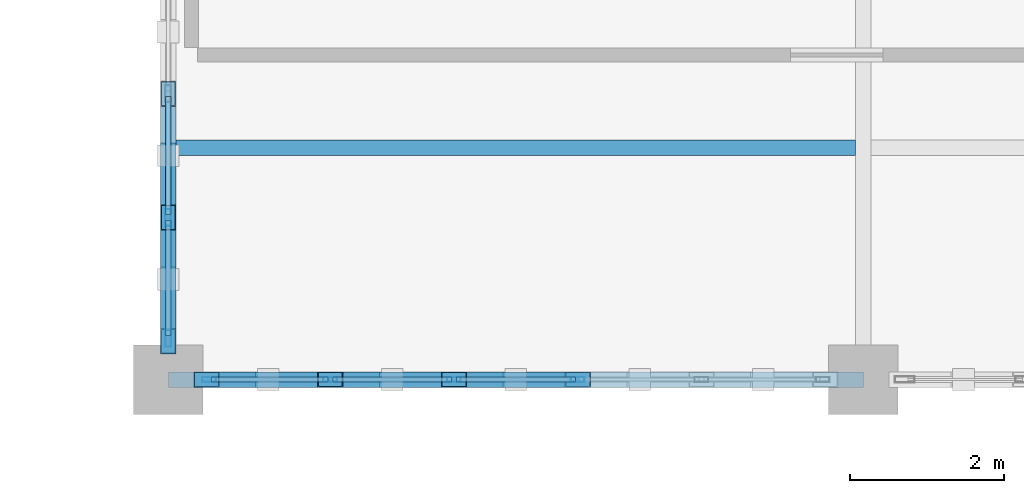
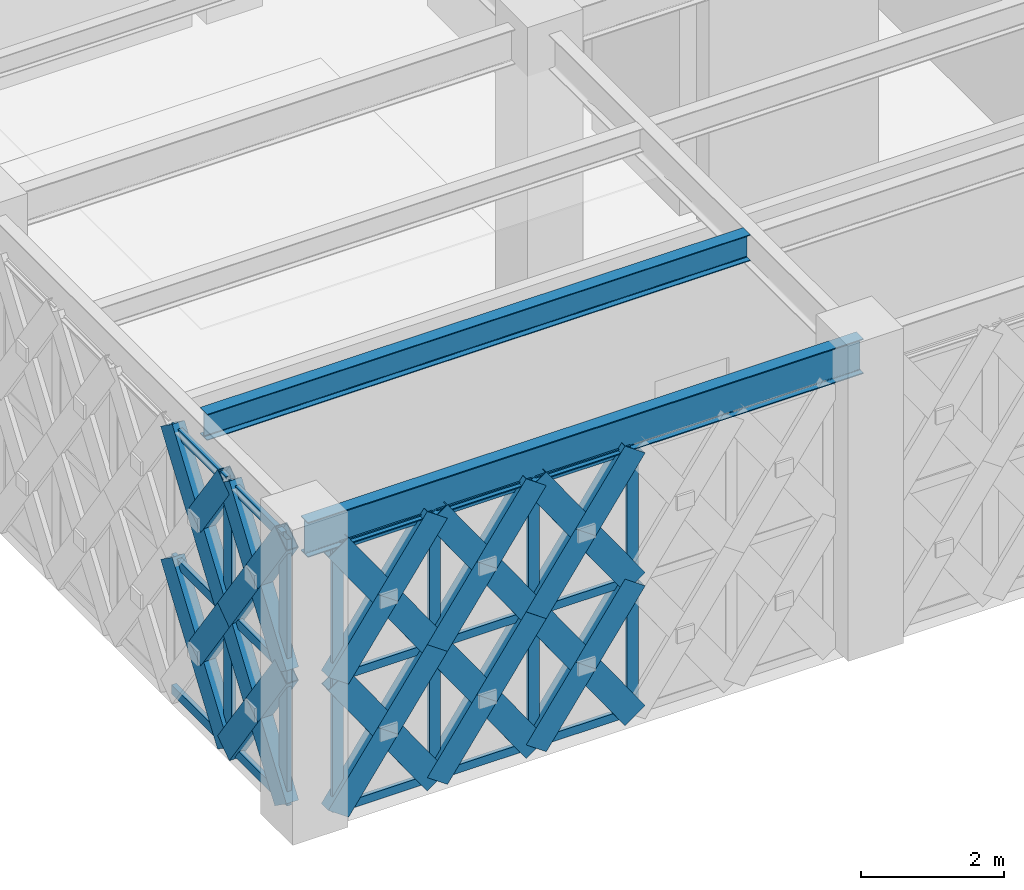
# One storey, part 10 of 155: 49 members, 2 beams, 2 elements without a shape of their own.
"""IFC4 building model written with IfcOpenShell, lengths in metres."""

import ifcopenshell
import ifcopenshell.guid

model = None  # the IFC model being written
_history = None  # IfcOwnerHistory: only IFC2X3 demands one
_inside = {}  # id of a spatial element -> (the spatial element, [elements in it])
_under = {}  # id of a project, library or spatial element -> (it, [spatial elements below it])
_declared = {}  # id of a project -> (the project, [libraries it declares])
_typed = {}  # id of a type object -> (the type object, [elements of that type])
_made_of = {}  # id of a material, layer set ... -> (it, [elements and type objects made of it])


def new_model(schema):
    """Start an empty IFC model of exactly this schema.

    Asked for "IFC4X3", IfcOpenShell would pick the latest addendum, in which some entities
    have other attributes; the version numbers below select the first issue.
    IFC2X3 requires an IfcOwnerHistory on every rooted entity: one is made here for all.
    """
    global model, _history
    if schema == "IFC4X3":
        model = ifcopenshell.file(schema_version=(4, 3, 0, 0))
    else:
        model = ifcopenshell.file(schema=schema)
    _inside.clear()
    _under.clear()
    _declared.clear()
    _typed.clear()
    _made_of.clear()
    _history = None
    if model.schema == "IFC2X3":
        org = make("IfcOrganization", Name="unknown")
        user = make(
            "IfcPersonAndOrganization",
            ThePerson=make("IfcPerson", FamilyName="unknown"),
            TheOrganization=org,
        )
        app = make(
            "IfcApplication",
            ApplicationDeveloper=org,
            Version="unknown",
            ApplicationFullName="unknown",
            ApplicationIdentifier="unknown",
        )
        _history = make(
            "IfcOwnerHistory",
            OwningUser=user,
            OwningApplication=app,
            ChangeAction="ADDED",
            CreationDate=0,
        )
    return model


def make(cls, **values):
    """One entity of the class cls with the attributes given. An attribute that is None is left unset."""
    return model.create_entity(
        cls, **{name: value for name, value in values.items() if value is not None}
    )


def rooted(cls, **values):
    """An entity with a GlobalId (a new one), such as an element, a storey or a relation."""
    return make(cls, GlobalId=ifcopenshell.guid.new(), OwnerHistory=_history, **values)


def si_unit(unit_type, name, prefix=None):
    """IfcSIUnit, for example si_unit("LENGTHUNIT", "METRE", prefix="MILLI")."""
    return make("IfcSIUnit", UnitType=unit_type, Prefix=prefix, Name=name)


def assignment(units):
    """IfcUnitAssignment: the units of a project."""
    return None if units is None else make("IfcUnitAssignment", Units=units)


def point(xyz):
    """IfcCartesianPoint."""
    return None if xyz is None else make("IfcCartesianPoint", Coordinates=xyz)


def direction(xyz):
    """IfcDirection."""
    return None if xyz is None else make("IfcDirection", DirectionRatios=xyz)


def frame(location, z_axis=None, x_axis=None):
    """IfcAxis2Placement3D, a coordinate frame: its origin and axes. An axis left out is left unset."""
    return make(
        "IfcAxis2Placement3D",
        Location=point(location),
        Axis=direction(z_axis),
        RefDirection=direction(x_axis),
    )


def frame_2d(location, x_axis=None):
    """IfcAxis2Placement2D, a coordinate frame in the plane: its origin and x axis."""
    return make(
        "IfcAxis2Placement2D", Location=point(location), RefDirection=direction(x_axis)
    )


def origin():
    """The frame at (0, 0, 0) with its axes left unset."""
    return frame((0.0, 0.0, 0.0))


def origin_2d():
    """The frame at (0, 0) in the plane with its x axis left unset."""
    return frame_2d((0.0, 0.0))


def place(relative_to, where):
    """IfcLocalPlacement: puts the frame where relative to a parent placement (None: the world)."""
    return make(
        "IfcLocalPlacement", PlacementRelTo=relative_to, RelativePlacement=where
    )


def context(
    kind, dimensions, precision=None, world=None, true_north=None, identifier=None
):
    """IfcGeometricRepresentationContext, for example the 3D "Model" context."""
    return make(
        "IfcGeometricRepresentationContext",
        ContextIdentifier=identifier,
        ContextType=kind,
        CoordinateSpaceDimension=dimensions,
        Precision=precision,
        WorldCoordinateSystem=world,
        TrueNorth=true_north,
    )


def subcontext(parent, identifier, kind, view, scale=None):
    """IfcGeometricRepresentationSubContext, for example "Body" below "Model"."""
    return make(
        "IfcGeometricRepresentationSubContext",
        ContextIdentifier=identifier,
        ContextType=kind,
        ParentContext=parent,
        TargetScale=scale,
        TargetView=view,
    )


def project(units=None, contexts=None):
    """IfcProject with its units and contexts."""
    return rooted(
        "IfcProject",
        Name="project",
        RepresentationContexts=contexts,
        UnitsInContext=assignment(units),
    )


def spatial(cls, under=None, at=None, **own):
    """A site, building, storey or space (cls), placed at a placement, below another one or the project."""
    s = rooted(cls, ObjectPlacement=at, **own)
    if under is not None:
        _under.setdefault(under.id(), (under, []))[1].append(s)
    return s


def profile(cls, at=None, kind="AREA", **sizes):
    """A parametric profile (cls). Its sizes go by their IFC names, for example OverallWidth=200.0."""
    return make(cls, ProfileType=kind, Position=at, **sizes)


def hollow_rectangle(**sizes):
    """IfcRectangleHollowProfileDef."""
    return profile("IfcRectangleHollowProfileDef", **sizes)


def i_section(**sizes):
    """IfcIShapeProfileDef."""
    return profile("IfcIShapeProfileDef", **sizes)


def extrude(swept, where, along, depth):
    """IfcExtrudedAreaSolid: the profile swept, set in the frame where, extruded along a direction by depth."""
    return make(
        "IfcExtrudedAreaSolid",
        SweptArea=swept,
        Position=where,
        ExtrudedDirection=direction(along),
        Depth=depth,
    )


def shape(context_of_items, identifier, shape_type, items):
    """IfcShapeRepresentation: the items that make up one representation, for example the "Body"."""
    return make(
        "IfcShapeRepresentation",
        ContextOfItems=context_of_items,
        RepresentationIdentifier=identifier,
        RepresentationType=shape_type,
        Items=items,
    )


def material(Name=None, Category=None):
    """IfcMaterial."""
    return make("IfcMaterial", Name=Name, Category=Category)


def material_profile(
    of_material, cross_section, Name=None, Category=None, Priority=None
):
    """IfcMaterialProfile: a cross section and its material."""
    return make(
        "IfcMaterialProfile",
        Name=Name,
        Material=of_material,
        Profile=cross_section,
        Priority=Priority,
        Category=Category,
    )


def profile_set(profiles, Name=None, composite=None):
    """IfcMaterialProfileSet."""
    return make(
        "IfcMaterialProfileSet",
        Name=Name,
        MaterialProfiles=profiles,
        CompositeProfile=composite,
    )


def made_of(thing, what):
    """Note that an element or type object is made of a material, layer set ...; save() writes the relation."""
    if what is not None:
        _made_of.setdefault(what.id(), (what, []))[1].append(thing)
    return thing


def type_object(cls, material=None, **own):
    """A type object (cls), such as IfcWallType, which elements share."""
    return made_of(rooted(cls, **own), material)


def element(
    cls,
    number,
    at=None,
    inside=None,
    cuts=None,
    type_object=None,
    material=None,
    context=None,
    identifier="Body",
    shape_type=None,
    held_by="IfcProductDefinitionShape",
    body=None,
    shapes=None,
    **own,
):
    """One element of the class cls, such as IfcWall. Its Tag is "e" and its number.

    at: its placement. inside: the storey or other place that contains it. cuts: it is an
    opening in that element (IfcRelVoidsElement). A single representation is given by context,
    identifier, shape_type and body (its items); several are given by shapes. held_by: the class
    of the entity that holds the representations. save() writes the other relations.
    """
    e = rooted(cls, Tag="e%d" % number, ObjectPlacement=at, **own)
    if body is not None:
        shapes = [shape(context, identifier, shape_type, body)]
    if shapes is not None:
        e.Representation = make(held_by, Representations=shapes)
    if inside is not None:
        _inside.setdefault(inside.id(), (inside, []))[1].append(e)
    if cuts is not None:
        rooted(
            "IfcRelVoidsElement", RelatingBuildingElement=cuts, RelatedOpeningElement=e
        )
    if type_object is not None:
        _typed.setdefault(type_object.id(), (type_object, []))[1].append(e)
    return made_of(e, material)


def aggregate(whole, parts):
    """IfcRelAggregates: a whole, such as a stair, and the parts it consists of."""
    return rooted("IfcRelAggregates", RelatingObject=whole, RelatedObjects=parts)


def save(model, path):
    """Write the relations noted so far, then the file.

    IfcRelAggregates (storeys below a building ...), IfcRelContainedInSpatialStructure (elements
    in a storey), IfcRelDefinesByType, IfcRelAssociatesMaterial and IfcRelDeclares: one each for
    every whole, place, type object, material and project.
    """
    for whole, parts in _under.values():
        aggregate(whole, parts)
    for where, things in _inside.values():
        rooted(
            "IfcRelContainedInSpatialStructure",
            RelatedElements=things,
            RelatingStructure=where,
        )
    for kind, things in _typed.values():
        rooted("IfcRelDefinesByType", RelatedObjects=things, RelatingType=kind)
    for what, things in _made_of.values():
        rooted("IfcRelAssociatesMaterial", RelatedObjects=things, RelatingMaterial=what)
    for by, libraries in _declared.values():
        rooted("IfcRelDeclares", RelatingContext=by, RelatedDefinitions=libraries)
    model.write(path)


model = new_model("IFC4")

# Units and contexts
model_context = context("Model", 3, precision=1e-05, world=origin(), true_north=direction((0.0, 1.0)))
body_context = subcontext(model_context, "Body", "Model", "MODEL_VIEW")
ifc_project = project(units=[si_unit("LENGTHUNIT", "METRE"), si_unit("AREAUNIT", "SQUARE_METRE"), si_unit("VOLUMEUNIT", "CUBIC_METRE"), si_unit("PLANEANGLEUNIT", "RADIAN"), si_unit("MASSUNIT", "GRAM", prefix="KILO")], contexts=[model_context])

# Site, building, storey
site_placement = place(None, origin())
site = spatial("IfcSite", under=ifc_project, at=site_placement, CompositionType="ELEMENT")
building_placement = place(site_placement, origin())
building = spatial("IfcBuilding", under=site, at=building_placement, Name="Haizhuo Lancet Aquarium", CompositionType="ELEMENT")
storey_placement = place(building_placement, frame((0.0, 0.0, 10.800048828125)))
storey = spatial("IfcBuildingStorey", under=building, at=storey_placement, Name="L02", CompositionType="ELEMENT", Elevation=10.800048828125)

# Beam
ifc_material_1 = material(Name="Steel S355", Category="steel")
ifc_material_profile_1 = material_profile(ifc_material_1, i_section(OverallWidth=0.199951171875, OverallDepth=0.60009765625, WebThickness=0.010986328125, FlangeThickness=0.01708984375, FilletRadius=0.02197265625, at=origin_2d()), Name="HN 600x200x11x17")
ifc_profile_set_1 = profile_set([ifc_material_profile_1], Name="Steel S355")
beam_type_1 = type_object("IfcBeamType", Name="BM-ST-HN600", PredefinedType="BEAM", material=ifc_profile_set_1)
beam_1_placement = place(storey_placement, frame((-72.0, -27.0, 4.85986328125), z_axis=(1.0, 0.0, 0.0), x_axis=(0.0, 1.0, 0.0)))
element("IfcBeam", 1, at=beam_1_placement, inside=storey, type_object=beam_type_1, Name="L02 V6 primary girder BM-L02-V6-005", PredefinedType="BEAM", context=body_context, shape_type="SweptSolid", body=[
    extrude(i_section(OverallWidth=0.199951171875, OverallDepth=0.60009765625, WebThickness=0.010986328125, FlangeThickness=0.01708984375, FilletRadius=0.02197265625, at=origin_2d()), origin(), (0.0, 0.0, 1.0), 9.0),
])

# Curtain wall, members
ifc_material_2 = material(Name="Aluminium 6063-T6", Category="aluminium")
curtain_wall_type = type_object("IfcCurtainWallType", Name="CWD-8010x4560", PredefinedType="NOTDEFINED", material=ifc_material_2)
curtain_wall_1_placement = place(storey_placement, origin())
curtain_wall_1 = element("IfcCurtainWall", 2, at=curtain_wall_1_placement, inside=storey, type_object=curtain_wall_type, Name="L02 curtain wall CW-V6-L02-226", PredefinedType="NOTDEFINED")
ifc_material_profile_2 = material_profile(ifc_material_2, hollow_rectangle(XDim=0.06494140625, YDim=0.179931640625, WallThickness=0.00390625, at=origin_2d()), Name="ALU-M 65x180x4")
ifc_profile_set_2 = profile_set([ifc_material_profile_2], Name="Aluminium 6063-T6")
member_type_1 = type_object("IfcMemberType", Name="CW-MUL-1", PredefinedType="MULLION", material=ifc_profile_set_2)
member_1_placement = place(storey_placement, frame((-66.698974609375, -27.0, 0.0), z_axis=(0.0, 0.0, 1.0), x_axis=(0.0, -1.0, 0.0)))
member_1 = element("IfcMember", 3, at=member_1_placement, type_object=member_type_1, Name="CWD-80x45 mullion 3", PredefinedType="MULLION", context=body_context, shape_type="SweptSolid", body=[
    extrude(hollow_rectangle(XDim=0.06494140625, YDim=0.179931640625, WallThickness=0.00390625, at=origin_2d()), origin(), (0.0, 0.0, 1.0), 4.56005859375),
])
member_2_placement = place(storey_placement, frame((-68.301025390625, -27.0, 0.0), z_axis=(0.0, 0.0, 1.0), x_axis=(0.0, -1.0, 0.0)))
member_2 = element("IfcMember", 4, at=member_2_placement, type_object=member_type_1, Name="CWD-80x45 mullion 4", PredefinedType="MULLION", context=body_context, shape_type="SweptSolid", body=[
    extrude(hollow_rectangle(XDim=0.06494140625, YDim=0.179931640625, WallThickness=0.00390625, at=origin_2d()), origin(), (0.0, 0.0, 1.0), 4.56005859375),
])
member_3_placement = place(storey_placement, frame((-69.903076171875, -27.0, 0.0), z_axis=(0.0, 0.0, 1.0), x_axis=(0.0, -1.0, 0.0)))
member_3 = element("IfcMember", 5, at=member_3_placement, type_object=member_type_1, Name="CWD-80x45 mullion 5", PredefinedType="MULLION", context=body_context, shape_type="SweptSolid", body=[
    extrude(hollow_rectangle(XDim=0.06494140625, YDim=0.179931640625, WallThickness=0.00390625, at=origin_2d()), origin(), (0.0, 0.0, 1.0), 4.56005859375),
])
member_4_placement = place(storey_placement, frame((-71.471923828125, -27.0, 0.0), z_axis=(0.0, 0.0, 1.0), x_axis=(0.0, -1.0, 0.0)))
member_4 = element("IfcMember", 6, at=member_4_placement, type_object=member_type_1, Name="CWD-80x45 mullion 6", PredefinedType="MULLION", context=body_context, shape_type="SweptSolid", body=[
    extrude(hollow_rectangle(XDim=0.06494140625, YDim=0.179931640625, WallThickness=0.00390625, at=origin_2d()), origin(), (0.0, 0.0, 1.0), 4.56005859375),
])

curtain_wall_2_placement = place(storey_placement, origin())
curtain_wall_2 = element("IfcCurtainWall", 7, at=curtain_wall_2_placement, inside=storey, type_object=curtain_wall_type, Name="L02 curtain wall CW-V6-L02-227", PredefinedType="NOTDEFINED")
ifc_material_profile_3 = material_profile(ifc_material_2, hollow_rectangle(XDim=0.074951171875, YDim=0.219970703125, WallThickness=0.0048828125, at=origin_2d()), Name="ALU-M 75x220x5")
ifc_profile_set_3 = profile_set([ifc_material_profile_3], Name="Aluminium 6063-T6")
member_type_2 = type_object("IfcMemberType", Name="CW-MUL-2", PredefinedType="MULLION", material=ifc_profile_set_3)
member_5_placement = place(storey_placement, frame((-72.0, -26.467041015625, 0.0), z_axis=(0.0, 0.0, 1.0), x_axis=(-1.0, 0.0, 0.0)))
member_5 = element("IfcMember", 8, at=member_5_placement, type_object=member_type_2, Name="CWD-80x45 mullion 1", PredefinedType="MULLION", context=body_context, shape_type="SweptSolid", body=[
    extrude(hollow_rectangle(XDim=0.074951171875, YDim=0.219970703125, WallThickness=0.0048828125, at=origin_2d()), origin(), (0.0, 0.0, 1.0), 4.56005859375),
])
member_6_placement = place(storey_placement, frame((-72.0, -24.903076171875, 0.0), z_axis=(0.0, 0.0, 1.0), x_axis=(-1.0, 0.0, 0.0)))
member_6 = element("IfcMember", 9, at=member_6_placement, type_object=member_type_2, Name="CWD-80x45 mullion 2", PredefinedType="MULLION", context=body_context, shape_type="SweptSolid", body=[
    extrude(hollow_rectangle(XDim=0.074951171875, YDim=0.219970703125, WallThickness=0.0048828125, at=origin_2d()), origin(), (0.0, 0.0, 1.0), 4.56005859375),
])

# Member
ifc_material_profile_4 = material_profile(ifc_material_2, hollow_rectangle(XDim=0.06494140625, YDim=0.139892578125, WallThickness=0.00390625, at=origin_2d()), Name="ALU-T 65x140x4")
ifc_profile_set_4 = profile_set([ifc_material_profile_4], Name="Aluminium 6063-T6")
member_type_3 = type_object("IfcMemberType", Name="CW-TRN-1", PredefinedType="NOTDEFINED", material=ifc_profile_set_4)
member_7_placement = place(storey_placement, frame((-66.73095703125, -27.0, 0.032958984375), z_axis=(-1.0, 0.0, 0.0), x_axis=(0.0, -1.0, 0.0)))
member_7 = element("IfcMember", 10, at=member_7_placement, type_object=member_type_3, Name="CWD-80x45 transom 3.1", ObjectType="TRANSOM", PredefinedType="USERDEFINED", context=body_context, shape_type="SweptSolid", body=[
    extrude(hollow_rectangle(XDim=0.06494140625, YDim=0.139892578125, WallThickness=0.00390625, at=origin_2d()), origin(), (0.0, 0.0, 1.0), 1.5380859375),
])

member_8_placement = place(storey_placement, frame((-66.73095703125, -27.0, 2.280029296875), z_axis=(-1.0, 0.0, 0.0), x_axis=(0.0, -1.0, 0.0)))
member_8 = element("IfcMember", 11, at=member_8_placement, type_object=member_type_3, Name="CWD-80x45 transom 3.2", ObjectType="TRANSOM", PredefinedType="USERDEFINED", context=body_context, shape_type="SweptSolid", body=[
    extrude(hollow_rectangle(XDim=0.06494140625, YDim=0.139892578125, WallThickness=0.00390625, at=origin_2d()), origin(), (0.0, 0.0, 1.0), 1.5380859375),
])

member_9_placement = place(storey_placement, frame((-66.73095703125, -27.0, 4.52685546875), z_axis=(-1.0, 0.0, 0.0), x_axis=(0.0, -1.0, 0.0)))
member_9 = element("IfcMember", 12, at=member_9_placement, type_object=member_type_3, Name="CWD-80x45 transom 3.3", ObjectType="TRANSOM", PredefinedType="USERDEFINED", context=body_context, shape_type="SweptSolid", body=[
    extrude(hollow_rectangle(XDim=0.06494140625, YDim=0.139892578125, WallThickness=0.00390625, at=origin_2d()), origin(), (0.0, 0.0, 1.0), 1.5380859375),
])

member_10_placement = place(storey_placement, frame((-68.333984375, -27.0, 0.032958984375), z_axis=(-1.0, 0.0, 0.0), x_axis=(0.0, -1.0, 0.0)))
member_10 = element("IfcMember", 13, at=member_10_placement, type_object=member_type_3, Name="CWD-80x45 transom 4.1", ObjectType="TRANSOM", PredefinedType="USERDEFINED", context=body_context, shape_type="SweptSolid", body=[
    extrude(hollow_rectangle(XDim=0.06494140625, YDim=0.139892578125, WallThickness=0.00390625, at=origin_2d()), origin(), (0.0, 0.0, 1.0), 1.5361328125),
])

member_11_placement = place(storey_placement, frame((-68.333984375, -27.0, 2.280029296875), z_axis=(-1.0, 0.0, 0.0), x_axis=(0.0, -1.0, 0.0)))
member_11 = element("IfcMember", 14, at=member_11_placement, type_object=member_type_3, Name="CWD-80x45 transom 4.2", ObjectType="TRANSOM", PredefinedType="USERDEFINED", context=body_context, shape_type="SweptSolid", body=[
    extrude(hollow_rectangle(XDim=0.06494140625, YDim=0.139892578125, WallThickness=0.00390625, at=origin_2d()), origin(), (0.0, 0.0, 1.0), 1.5361328125),
])

member_12_placement = place(storey_placement, frame((-68.333984375, -27.0, 4.52685546875), z_axis=(-1.0, 0.0, 0.0), x_axis=(0.0, -1.0, 0.0)))
member_12 = element("IfcMember", 15, at=member_12_placement, type_object=member_type_3, Name="CWD-80x45 transom 4.3", ObjectType="TRANSOM", PredefinedType="USERDEFINED", context=body_context, shape_type="SweptSolid", body=[
    extrude(hollow_rectangle(XDim=0.06494140625, YDim=0.139892578125, WallThickness=0.00390625, at=origin_2d()), origin(), (0.0, 0.0, 1.0), 1.5361328125),
])

member_13_placement = place(storey_placement, frame((-69.93505859375, -27.0, 0.032958984375), z_axis=(-1.0, 0.0, 0.0), x_axis=(0.0, -1.0, 0.0)))
member_13 = element("IfcMember", 16, at=member_13_placement, type_object=member_type_3, Name="CWD-80x45 transom 5.1", ObjectType="TRANSOM", PredefinedType="USERDEFINED", context=body_context, shape_type="SweptSolid", body=[
    extrude(hollow_rectangle(XDim=0.06494140625, YDim=0.139892578125, WallThickness=0.00390625, at=origin_2d()), origin(), (0.0, 0.0, 1.0), 1.5048828125),
])

member_14_placement = place(storey_placement, frame((-69.93505859375, -27.0, 2.280029296875), z_axis=(-1.0, 0.0, 0.0), x_axis=(0.0, -1.0, 0.0)))
member_14 = element("IfcMember", 17, at=member_14_placement, type_object=member_type_3, Name="CWD-80x45 transom 5.2", ObjectType="TRANSOM", PredefinedType="USERDEFINED", context=body_context, shape_type="SweptSolid", body=[
    extrude(hollow_rectangle(XDim=0.06494140625, YDim=0.139892578125, WallThickness=0.00390625, at=origin_2d()), origin(), (0.0, 0.0, 1.0), 1.5048828125),
])

member_15_placement = place(storey_placement, frame((-69.93505859375, -27.0, 4.52685546875), z_axis=(-1.0, 0.0, 0.0), x_axis=(0.0, -1.0, 0.0)))
member_15 = element("IfcMember", 18, at=member_15_placement, type_object=member_type_3, Name="CWD-80x45 transom 5.3", ObjectType="TRANSOM", PredefinedType="USERDEFINED", context=body_context, shape_type="SweptSolid", body=[
    extrude(hollow_rectangle(XDim=0.06494140625, YDim=0.139892578125, WallThickness=0.00390625, at=origin_2d()), origin(), (0.0, 0.0, 1.0), 1.5048828125),
])

aggregate(curtain_wall_1, [member_1, member_2, member_3, member_4, member_7, member_8, member_9, member_10, member_11, member_12, member_13, member_14, member_15])

ifc_material_profile_5 = material_profile(ifc_material_2, hollow_rectangle(XDim=0.074951171875, YDim=0.159912109375, WallThickness=0.00390625, at=origin_2d()), Name="ALU-T 75x160x4")
ifc_profile_set_5 = profile_set([ifc_material_profile_5], Name="Aluminium 6063-T6")
member_type_4 = type_object("IfcMemberType", Name="CW-TRN-2", PredefinedType="NOTDEFINED", material=ifc_profile_set_5)
member_16_placement = place(storey_placement, frame((-72.0, -26.429931640625, 0.037841796875), z_axis=(0.0, 1.0, 0.0), x_axis=(-1.0, 0.0, 0.0)))
member_16 = element("IfcMember", 19, at=member_16_placement, type_object=member_type_4, Name="CWD-80x45 transom 1.1", ObjectType="TRANSOM", PredefinedType="USERDEFINED", context=body_context, shape_type="SweptSolid", body=[
    extrude(hollow_rectangle(XDim=0.074951171875, YDim=0.159912109375, WallThickness=0.00390625, at=origin_2d()), origin(), (0.0, 0.0, 1.0), 1.489013671875),
])

member_17_placement = place(storey_placement, frame((-72.0, -26.429931640625, 2.280029296875), z_axis=(0.0, 1.0, 0.0), x_axis=(-1.0, 0.0, 0.0)))
member_17 = element("IfcMember", 20, at=member_17_placement, type_object=member_type_4, Name="CWD-80x45 transom 1.2", ObjectType="TRANSOM", PredefinedType="USERDEFINED", context=body_context, shape_type="SweptSolid", body=[
    extrude(hollow_rectangle(XDim=0.074951171875, YDim=0.159912109375, WallThickness=0.00390625, at=origin_2d()), origin(), (0.0, 0.0, 1.0), 1.489013671875),
])

member_18_placement = place(storey_placement, frame((-72.0, -26.429931640625, 4.52197265625), z_axis=(0.0, 1.0, 0.0), x_axis=(-1.0, 0.0, 0.0)))
member_18 = element("IfcMember", 21, at=member_18_placement, type_object=member_type_4, Name="CWD-80x45 transom 1.3", ObjectType="TRANSOM", PredefinedType="USERDEFINED", context=body_context, shape_type="SweptSolid", body=[
    extrude(hollow_rectangle(XDim=0.074951171875, YDim=0.159912109375, WallThickness=0.00390625, at=origin_2d()), origin(), (0.0, 0.0, 1.0), 1.489013671875),
])

member_19_placement = place(storey_placement, frame((-72.0, -24.865966796875, 0.037841796875), z_axis=(0.0, 1.0, 0.0), x_axis=(-1.0, 0.0, 0.0)))
member_19 = element("IfcMember", 22, at=member_19_placement, type_object=member_type_4, Name="CWD-80x45 transom 2.1", ObjectType="TRANSOM", PredefinedType="USERDEFINED", context=body_context, shape_type="SweptSolid", body=[
    extrude(hollow_rectangle(XDim=0.074951171875, YDim=0.159912109375, WallThickness=0.00390625, at=origin_2d()), origin(), (0.0, 0.0, 1.0), 1.528076171875),
])

member_20_placement = place(storey_placement, frame((-72.0, -24.865966796875, 2.280029296875), z_axis=(0.0, 1.0, 0.0), x_axis=(-1.0, 0.0, 0.0)))
member_20 = element("IfcMember", 23, at=member_20_placement, type_object=member_type_4, Name="CWD-80x45 transom 2.2", ObjectType="TRANSOM", PredefinedType="USERDEFINED", context=body_context, shape_type="SweptSolid", body=[
    extrude(hollow_rectangle(XDim=0.074951171875, YDim=0.159912109375, WallThickness=0.00390625, at=origin_2d()), origin(), (0.0, 0.0, 1.0), 1.528076171875),
])

member_21_placement = place(storey_placement, frame((-72.0, -24.865966796875, 4.52197265625), z_axis=(0.0, 1.0, 0.0), x_axis=(-1.0, 0.0, 0.0)))
member_21 = element("IfcMember", 24, at=member_21_placement, type_object=member_type_4, Name="CWD-80x45 transom 2.3", ObjectType="TRANSOM", PredefinedType="USERDEFINED", context=body_context, shape_type="SweptSolid", body=[
    extrude(hollow_rectangle(XDim=0.074951171875, YDim=0.159912109375, WallThickness=0.00390625, at=origin_2d()), origin(), (0.0, 0.0, 1.0), 1.528076171875),
])

aggregate(curtain_wall_2, [member_5, member_6, member_16, member_17, member_18, member_19, member_20, member_21])

# Beam
ifc_material_profile_6 = material_profile(ifc_material_1, i_section(OverallWidth=0.199951171875, OverallDepth=0.449951171875, WebThickness=0.009033203125, FlangeThickness=0.013916015625, FilletRadius=0.01806640625, at=origin_2d()), Name="HN 450x200x9x14")
ifc_profile_set_6 = profile_set([ifc_material_profile_6], Name="Steel S355")
beam_type_2 = type_object("IfcBeamType", Name="JST-ST-HN450", PredefinedType="JOIST", material=ifc_profile_set_6)
beam_2_placement = place(storey_placement, frame((-71.89990234375, -24.0, 4.93505859375), z_axis=(1.0, 0.0, 0.0), x_axis=(0.0, 1.0, 0.0)))
element("IfcBeam", 25, at=beam_2_placement, inside=storey, type_object=beam_type_2, Name="L02 V6 secondary floor joist 3", PredefinedType="JOIST", context=body_context, shape_type="SweptSolid", body=[
    extrude(i_section(OverallWidth=0.199951171875, OverallDepth=0.449951171875, WebThickness=0.009033203125, FlangeThickness=0.013916015625, FilletRadius=0.01806640625, at=origin_2d()), origin(), (0.0, 0.0, 1.0), 8.7998046875),
])

# Members
ifc_material_profile_7 = material_profile(ifc_material_1, hollow_rectangle(XDim=0.199951171875, YDim=0.39990234375, WallThickness=0.011962890625, at=origin_2d()), Name="RHS 200x400x12")
ifc_profile_set_7 = profile_set([ifc_material_profile_7], Name="Steel S355")
member_type_5 = type_object("IfcMemberType", Name="MEM-LB-RHS200x400", PredefinedType="BRACE", material=ifc_profile_set_7)
member_22_placement = place(storey_placement, frame((-66.698974609375, -27.0, 0.0), z_axis=(-0.574913812948, 0.0, 0.818213974264), x_axis=(0.0, -1.0, 0.0)))
element("IfcMember", 26, at=member_22_placement, inside=storey, type_object=member_type_5, Name="Gothic lancet continuous diagonal brace CW-V6-L02-226 5A", PredefinedType="BRACE", context=body_context, shape_type="SweptSolid", body=[
    extrude(hollow_rectangle(XDim=0.199951171875, YDim=0.39990234375, WallThickness=0.011962890625, at=origin_2d()), origin(), (0.0, 0.0, 1.0), 2.78662109375),
])
for number, where, z_axis, x_axis, name in (
    (27, (-68.301025390625, -27.0, 0.0), (0.574955028356, 0.0, 0.818185012921), (0.0, 1.0, 0.0), "Gothic lancet split diagonal brace CW-V6-L02-226 5B1"),
    (28, (-67.5, -27.0, 1.139892578125), (0.574872601991, 0.0, 0.81824292938), (0.0, 1.0, 0.0), "Gothic lancet split diagonal brace CW-V6-L02-226 5B2"),
):
    element("IfcMember", number, at=place(storey_placement, frame(where, z_axis=z_axis, x_axis=x_axis)), inside=storey, type_object=member_type_5, Name=name, PredefinedType="BRACE", context=body_context, shape_type="SweptSolid", body=[
        extrude(hollow_rectangle(XDim=0.199951171875, YDim=0.39990234375, WallThickness=0.011962890625, at=origin_2d()), origin(), (0.0, 0.0, 1.0), 1.393310546875),
    ])
member_23_placement = place(storey_placement, frame((-66.698974609375, -27.0, 2.280029296875), z_axis=(-0.574913812948, 0.0, 0.818213974264), x_axis=(0.0, -1.0, 0.0)))
element("IfcMember", 29, at=member_23_placement, inside=storey, type_object=member_type_5, Name="Gothic lancet continuous diagonal brace CW-V6-L02-226 6A", PredefinedType="BRACE", context=body_context, shape_type="SweptSolid", body=[
    extrude(hollow_rectangle(XDim=0.199951171875, YDim=0.39990234375, WallThickness=0.011962890625, at=origin_2d()), origin(), (0.0, 0.0, 1.0), 2.78662109375),
])
for number, where, z_axis, x_axis, name in (
    (30, (-68.301025390625, -27.0, 2.280029296875), (0.574955028356, 0.0, 0.818185012921), (0.0, 1.0, 0.0), "Gothic lancet split diagonal brace CW-V6-L02-226 6B1"),
    (31, (-67.5, -27.0, 3.419921875), (0.574872601991, 0.0, 0.81824292938), (0.0, 1.0, 0.0), "Gothic lancet split diagonal brace CW-V6-L02-226 6B2"),
):
    element("IfcMember", number, at=place(storey_placement, frame(where, z_axis=z_axis, x_axis=x_axis)), inside=storey, type_object=member_type_5, Name=name, PredefinedType="BRACE", context=body_context, shape_type="SweptSolid", body=[
        extrude(hollow_rectangle(XDim=0.199951171875, YDim=0.39990234375, WallThickness=0.011962890625, at=origin_2d()), origin(), (0.0, 0.0, 1.0), 1.393310546875),
    ])
member_24_placement = place(storey_placement, frame((-68.301025390625, -27.0, 0.0), z_axis=(-0.574913812948, 0.0, 0.818213974264), x_axis=(0.0, -1.0, 0.0)))
element("IfcMember", 32, at=member_24_placement, inside=storey, type_object=member_type_5, Name="Gothic lancet continuous diagonal brace CW-V6-L02-226 7A", PredefinedType="BRACE", context=body_context, shape_type="SweptSolid", body=[
    extrude(hollow_rectangle(XDim=0.199951171875, YDim=0.39990234375, WallThickness=0.011962890625, at=origin_2d()), origin(), (0.0, 0.0, 1.0), 2.78662109375),
])
for number, where, z_axis, x_axis, name in (
    (33, (-69.903076171875, -27.0, 0.0), (0.574955028356, 0.0, 0.818185012921), (0.0, 1.0, 0.0), "Gothic lancet split diagonal brace CW-V6-L02-226 7B1"),
    (34, (-69.10205078125, -27.0, 1.139892578125), (0.574872601991, 0.0, 0.81824292938), (0.0, 1.0, 0.0), "Gothic lancet split diagonal brace CW-V6-L02-226 7B2"),
):
    element("IfcMember", number, at=place(storey_placement, frame(where, z_axis=z_axis, x_axis=x_axis)), inside=storey, type_object=member_type_5, Name=name, PredefinedType="BRACE", context=body_context, shape_type="SweptSolid", body=[
        extrude(hollow_rectangle(XDim=0.199951171875, YDim=0.39990234375, WallThickness=0.011962890625, at=origin_2d()), origin(), (0.0, 0.0, 1.0), 1.393310546875),
    ])
member_25_placement = place(storey_placement, frame((-68.301025390625, -27.0, 2.280029296875), z_axis=(-0.574913812948, 0.0, 0.818213974264), x_axis=(0.0, -1.0, 0.0)))
element("IfcMember", 35, at=member_25_placement, inside=storey, type_object=member_type_5, Name="Gothic lancet continuous diagonal brace CW-V6-L02-226 8A", PredefinedType="BRACE", context=body_context, shape_type="SweptSolid", body=[
    extrude(hollow_rectangle(XDim=0.199951171875, YDim=0.39990234375, WallThickness=0.011962890625, at=origin_2d()), origin(), (0.0, 0.0, 1.0), 2.78662109375),
])
for number, where, z_axis, x_axis, name in (
    (36, (-69.903076171875, -27.0, 2.280029296875), (0.574955028356, 0.0, 0.818185012921), (0.0, 1.0, 0.0), "Gothic lancet split diagonal brace CW-V6-L02-226 8B1"),
    (37, (-69.10205078125, -27.0, 3.419921875), (0.574872601991, 0.0, 0.81824292938), (0.0, 1.0, 0.0), "Gothic lancet split diagonal brace CW-V6-L02-226 8B2"),
):
    element("IfcMember", number, at=place(storey_placement, frame(where, z_axis=z_axis, x_axis=x_axis)), inside=storey, type_object=member_type_5, Name=name, PredefinedType="BRACE", context=body_context, shape_type="SweptSolid", body=[
        extrude(hollow_rectangle(XDim=0.199951171875, YDim=0.39990234375, WallThickness=0.011962890625, at=origin_2d()), origin(), (0.0, 0.0, 1.0), 1.393310546875),
    ])
member_26_placement = place(storey_placement, frame((-69.903076171875, -27.0, 0.0), z_axis=(-0.574855154156, 0.0, 0.81825518742), x_axis=(0.0, -1.0, 0.0)))
element("IfcMember", 38, at=member_26_placement, inside=storey, type_object=member_type_5, Name="Gothic lancet continuous diagonal brace CW-V6-L02-226 9A", PredefinedType="BRACE", context=body_context, shape_type="SweptSolid", body=[
    extrude(hollow_rectangle(XDim=0.199951171875, YDim=0.39990234375, WallThickness=0.011962890625, at=origin_2d()), origin(), (0.0, 0.0, 1.0), 2.786376953125),
])
member_27_placement = place(storey_placement, frame((-71.5048828125, -27.0, 0.0), z_axis=(0.5748377018, 0.0, 0.818267448081), x_axis=(0.0, 1.0, 0.0)))
element("IfcMember", 39, at=member_27_placement, inside=storey, type_object=member_type_5, Name="Gothic lancet split diagonal brace CW-V6-L02-226 9B1", PredefinedType="BRACE", context=body_context, shape_type="SweptSolid", body=[
    extrude(hollow_rectangle(XDim=0.199951171875, YDim=0.39990234375, WallThickness=0.011962890625, at=origin_2d()), origin(), (0.0, 0.0, 1.0), 1.39306640625),
])
member_28_placement = place(storey_placement, frame((-70.7041015625, -27.0, 1.139892578125), z_axis=(0.574872601991, 0.0, 0.81824292938), x_axis=(0.0, 1.0, 0.0)))
element("IfcMember", 40, at=member_28_placement, inside=storey, type_object=member_type_5, Name="Gothic lancet split diagonal brace CW-V6-L02-226 9B2", PredefinedType="BRACE", context=body_context, shape_type="SweptSolid", body=[
    extrude(hollow_rectangle(XDim=0.199951171875, YDim=0.39990234375, WallThickness=0.011962890625, at=origin_2d()), origin(), (0.0, 0.0, 1.0), 1.393310546875),
])
member_29_placement = place(storey_placement, frame((-69.903076171875, -27.0, 2.280029296875), z_axis=(-0.574855154156, 0.0, 0.81825518742), x_axis=(0.0, -1.0, 0.0)))
element("IfcMember", 41, at=member_29_placement, inside=storey, type_object=member_type_5, Name="Gothic lancet continuous diagonal brace CW-V6-L02-226 10A", PredefinedType="BRACE", context=body_context, shape_type="SweptSolid", body=[
    extrude(hollow_rectangle(XDim=0.199951171875, YDim=0.39990234375, WallThickness=0.011962890625, at=origin_2d()), origin(), (0.0, 0.0, 1.0), 2.786376953125),
])
member_30_placement = place(storey_placement, frame((-71.5048828125, -27.0, 2.280029296875), z_axis=(0.5748377018, 0.0, 0.818267448081), x_axis=(0.0, 1.0, 0.0)))
element("IfcMember", 42, at=member_30_placement, inside=storey, type_object=member_type_5, Name="Gothic lancet split diagonal brace CW-V6-L02-226 10B1", PredefinedType="BRACE", context=body_context, shape_type="SweptSolid", body=[
    extrude(hollow_rectangle(XDim=0.199951171875, YDim=0.39990234375, WallThickness=0.011962890625, at=origin_2d()), origin(), (0.0, 0.0, 1.0), 1.39306640625),
])
member_31_placement = place(storey_placement, frame((-70.7041015625, -27.0, 3.419921875), z_axis=(0.574872601991, 0.0, 0.81824292938), x_axis=(0.0, 1.0, 0.0)))
element("IfcMember", 43, at=member_31_placement, inside=storey, type_object=member_type_5, Name="Gothic lancet split diagonal brace CW-V6-L02-226 10B2", PredefinedType="BRACE", context=body_context, shape_type="SweptSolid", body=[
    extrude(hollow_rectangle(XDim=0.199951171875, YDim=0.39990234375, WallThickness=0.011962890625, at=origin_2d()), origin(), (0.0, 0.0, 1.0), 1.393310546875),
])
member_32_placement = place(storey_placement, frame((-72.0, -26.5048828125, 0.0), z_axis=(0.0, 0.574855154156, 0.81825518742), x_axis=(-1.0, 0.0, 0.0)))
element("IfcMember", 44, at=member_32_placement, inside=storey, type_object=member_type_5, Name="Gothic lancet continuous diagonal brace CW-V6-L02-227 1A", PredefinedType="BRACE", context=body_context, shape_type="SweptSolid", body=[
    extrude(hollow_rectangle(XDim=0.199951171875, YDim=0.39990234375, WallThickness=0.011962890625, at=origin_2d()), origin(), (0.0, 0.0, 1.0), 2.786376953125),
])
for number, where, z_axis, x_axis, name in (
    (45, (-72.0, -24.903076171875, 0.0), (0.0, -0.574955028356, 0.818185012921), (1.0, 0.0, 0.0), "Gothic lancet split diagonal brace CW-V6-L02-227 1B1"),
    (46, (-72.0, -25.7041015625, 1.139892578125), (0.0, -0.574755275652, 0.818325346736), (1.0, 0.0, 0.0), "Gothic lancet split diagonal brace CW-V6-L02-227 1B2"),
):
    element("IfcMember", number, at=place(storey_placement, frame(where, z_axis=z_axis, x_axis=x_axis)), inside=storey, type_object=member_type_5, Name=name, PredefinedType="BRACE", context=body_context, shape_type="SweptSolid", body=[
        extrude(hollow_rectangle(XDim=0.199951171875, YDim=0.39990234375, WallThickness=0.011962890625, at=origin_2d()), origin(), (0.0, 0.0, 1.0), 1.393310546875),
    ])
member_33_placement = place(storey_placement, frame((-72.0, -26.5048828125, 2.280029296875), z_axis=(0.0, 0.574855154156, 0.81825518742), x_axis=(-1.0, 0.0, 0.0)))
element("IfcMember", 47, at=member_33_placement, inside=storey, type_object=member_type_5, Name="Gothic lancet continuous diagonal brace CW-V6-L02-227 2A", PredefinedType="BRACE", context=body_context, shape_type="SweptSolid", body=[
    extrude(hollow_rectangle(XDim=0.199951171875, YDim=0.39990234375, WallThickness=0.011962890625, at=origin_2d()), origin(), (0.0, 0.0, 1.0), 2.786376953125),
])
for number, where, z_axis, x_axis, name in (
    (48, (-72.0, -24.903076171875, 2.280029296875), (0.0, -0.574955028356, 0.818185012921), (1.0, 0.0, 0.0), "Gothic lancet split diagonal brace CW-V6-L02-227 2B1"),
    (49, (-72.0, -25.7041015625, 3.419921875), (0.0, -0.574755275652, 0.818325346736), (1.0, 0.0, 0.0), "Gothic lancet split diagonal brace CW-V6-L02-227 2B2"),
):
    element("IfcMember", number, at=place(storey_placement, frame(where, z_axis=z_axis, x_axis=x_axis)), inside=storey, type_object=member_type_5, Name=name, PredefinedType="BRACE", context=body_context, shape_type="SweptSolid", body=[
        extrude(hollow_rectangle(XDim=0.199951171875, YDim=0.39990234375, WallThickness=0.011962890625, at=origin_2d()), origin(), (0.0, 0.0, 1.0), 1.393310546875),
    ])
member_34_placement = place(storey_placement, frame((-72.0, -24.903076171875, 0.0), z_axis=(0.0, 0.574913812948, 0.818213974264), x_axis=(-1.0, 0.0, 0.0)))
element("IfcMember", 50, at=member_34_placement, inside=storey, type_object=member_type_5, Name="Gothic lancet continuous diagonal brace CW-V6-L02-227 3A", PredefinedType="BRACE", context=body_context, shape_type="SweptSolid", body=[
    extrude(hollow_rectangle(XDim=0.199951171875, YDim=0.39990234375, WallThickness=0.011962890625, at=origin_2d()), origin(), (0.0, 0.0, 1.0), 2.78662109375),
])
member_35_placement = place(storey_placement, frame((-72.0, -24.10205078125, 1.139892578125), z_axis=(0.0, -0.574872601991, 0.81824292938), x_axis=(1.0, 0.0, 0.0)))
element("IfcMember", 51, at=member_35_placement, inside=storey, type_object=member_type_5, Name="Gothic lancet split diagonal brace CW-V6-L02-227 3B2", PredefinedType="BRACE", context=body_context, shape_type="SweptSolid", body=[
    extrude(hollow_rectangle(XDim=0.199951171875, YDim=0.39990234375, WallThickness=0.011962890625, at=origin_2d()), origin(), (0.0, 0.0, 1.0), 1.393310546875),
])
member_36_placement = place(storey_placement, frame((-72.0, -24.903076171875, 2.280029296875), z_axis=(0.0, 0.574913812948, 0.818213974264), x_axis=(-1.0, 0.0, 0.0)))
element("IfcMember", 52, at=member_36_placement, inside=storey, type_object=member_type_5, Name="Gothic lancet continuous diagonal brace CW-V6-L02-227 4A", PredefinedType="BRACE", context=body_context, shape_type="SweptSolid", body=[
    extrude(hollow_rectangle(XDim=0.199951171875, YDim=0.39990234375, WallThickness=0.011962890625, at=origin_2d()), origin(), (0.0, 0.0, 1.0), 2.78662109375),
])
member_37_placement = place(storey_placement, frame((-72.0, -24.10205078125, 3.419921875), z_axis=(0.0, -0.574872601991, 0.81824292938), x_axis=(1.0, 0.0, 0.0)))
element("IfcMember", 53, at=member_37_placement, inside=storey, type_object=member_type_5, Name="Gothic lancet split diagonal brace CW-V6-L02-227 4B2", PredefinedType="BRACE", context=body_context, shape_type="SweptSolid", body=[
    extrude(hollow_rectangle(XDim=0.199951171875, YDim=0.39990234375, WallThickness=0.011962890625, at=origin_2d()), origin(), (0.0, 0.0, 1.0), 1.393310546875),
])

save(model, "model.ifc")
